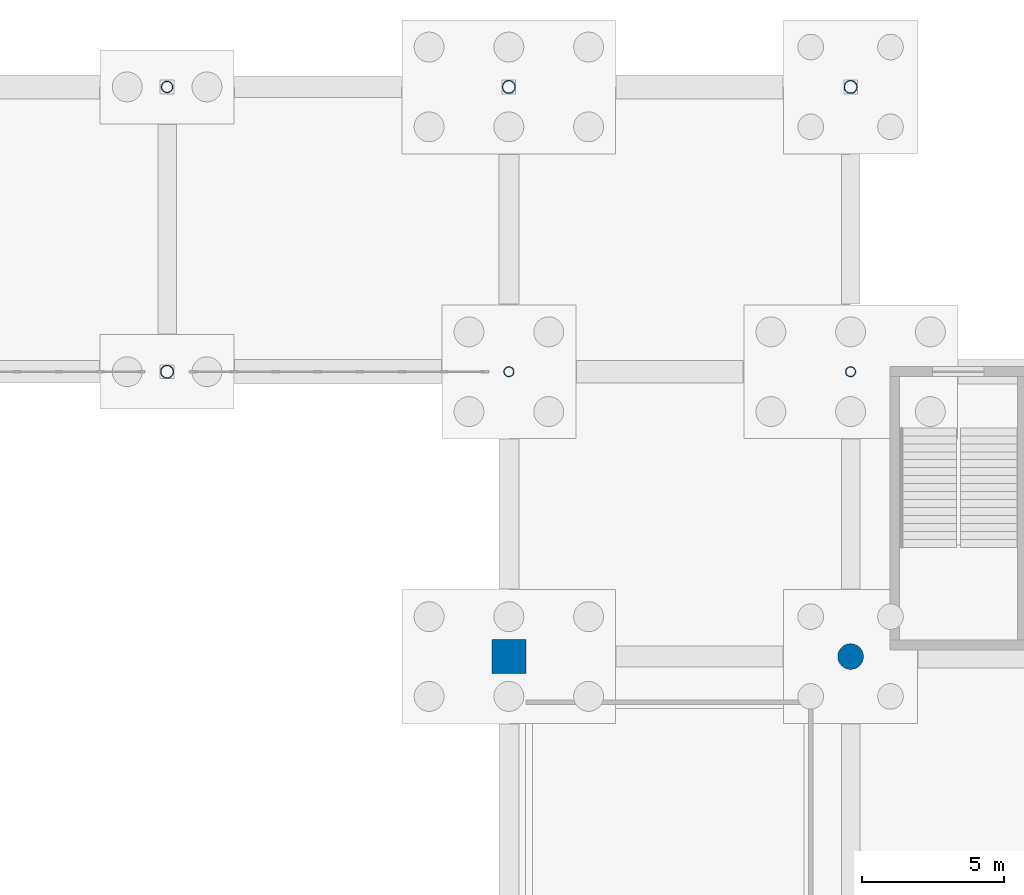
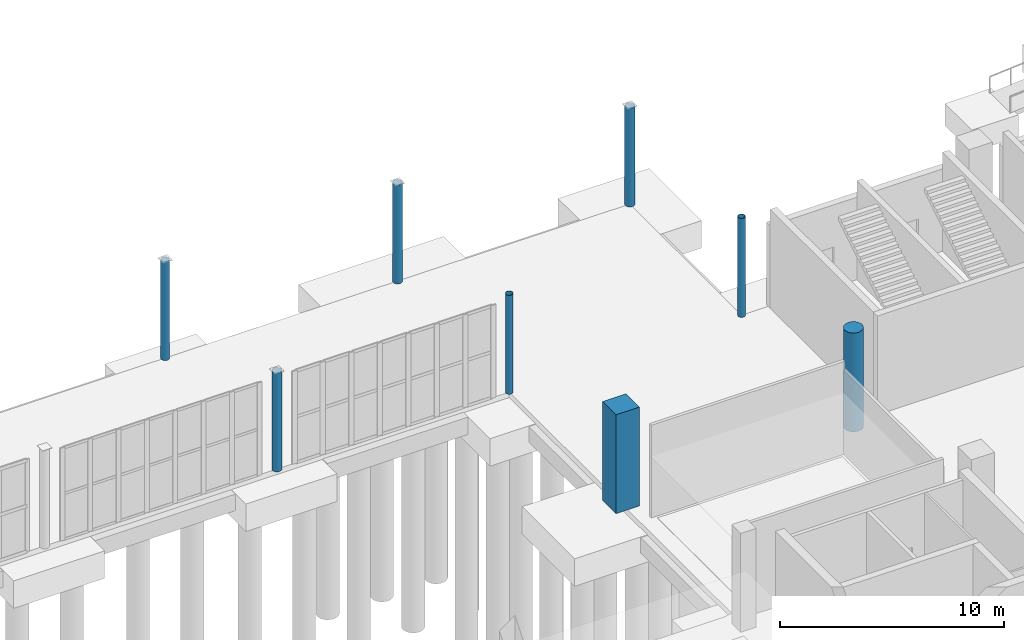
# One storey, part 19 of 70: 8 columns.
"""IFC4 building model written with IfcOpenShell, lengths in metres."""

from ifc_helpers import new_model, si_unit, direction, frame, origin, origin_2d, place, context, subcontext, project, spatial, rectangle, circle, hollow_circle, extrude, material, material_profile, profile_set, type_object, element, save


model = new_model("IFC4")

# Units and contexts
model_context = context("Model", 3, precision=1e-05, world=origin(), true_north=direction((0.0, 1.0)))
body_context = subcontext(model_context, "Body", "Model", "MODEL_VIEW")
ifc_project = project(units=[si_unit("LENGTHUNIT", "METRE"), si_unit("AREAUNIT", "SQUARE_METRE"), si_unit("VOLUMEUNIT", "CUBIC_METRE"), si_unit("PLANEANGLEUNIT", "RADIAN"), si_unit("MASSUNIT", "GRAM", prefix="KILO")], contexts=[model_context])

# Site, building, storey
site_placement = place(None, origin())
site = spatial("IfcSite", under=ifc_project, at=site_placement, CompositionType="ELEMENT")
building_placement = place(site_placement, origin())
building = spatial("IfcBuilding", under=site, at=building_placement, Name="Brinegate Civic Arena", CompositionType="ELEMENT")
storey_placement = place(building_placement, origin())
storey = spatial("IfcBuildingStorey", under=building, at=storey_placement, Name="L00", CompositionType="ELEMENT", Elevation=0.0)

# Columns
ifc_material_1 = material(Name="Concrete C50/60", Category="concrete")
ifc_material_profile_1 = material_profile(ifc_material_1, rectangle(XDim=1.199951171875, YDim=1.199951171875, at=origin_2d()), Name="RC1200X1200")
ifc_profile_set_1 = profile_set([ifc_material_profile_1], Name="Concrete C50/60")
column_type_1 = type_object("IfcColumnType", Name="COL-CC01-1200", PredefinedType="COLUMN", material=ifc_profile_set_1)
column_1_placement = place(storey_placement, frame((48.0, 104.0, 0.0), z_axis=(0.0, 0.0, 1.0), x_axis=(1.0, 0.0, 0.0)))
element("IfcColumn", 1, at=column_1_placement, inside=storey, type_object=column_type_1, Name="Column COL-L00-5-L", PredefinedType="COLUMN", context=body_context, shape_type="SweptSolid", body=[
    extrude(rectangle(XDim=1.199951171875, YDim=1.199951171875, at=origin_2d()), origin(), (0.0, 0.0, 1.0), 5.39990234375),
])
ifc_material_profile_2 = material_profile(ifc_material_1, circle(Radius=0.449951171875, at=origin_2d()), Name="RCD900")
ifc_profile_set_2 = profile_set([ifc_material_profile_2], Name="Concrete C50/60")
column_type_2 = type_object("IfcColumnType", Name="COL-CC12-D900", PredefinedType="COLUMN", material=ifc_profile_set_2)
column_2_placement = place(storey_placement, frame((60.0, 104.0, 0.0), z_axis=(0.0, 0.0, 1.0), x_axis=(1.0, 0.0, 0.0)))
element("IfcColumn", 2, at=column_2_placement, inside=storey, type_object=column_type_2, Name="Column COL-L00-6-L", PredefinedType="COLUMN", context=body_context, shape_type="SweptSolid", body=[
    extrude(circle(Radius=0.449951171875, at=origin_2d()), origin(), (0.0, 0.0, 1.0), 5.39990234375),
])
ifc_material_2 = material(Name="Steel S355", Category="steel")
ifc_material_profile_3 = material_profile(ifc_material_2, hollow_circle(Radius=0.228515625, WallThickness=0.01611328125, at=origin_2d()), Name="CHS457X16")
ifc_profile_set_3 = profile_set([ifc_material_profile_3], Name="Steel S355")
column_type_3 = type_object("IfcColumnType", Name="COL-CP01-CHS457", PredefinedType="PILASTER", material=ifc_profile_set_3)
for number, where, z_axis, x_axis, name in (
    (3, (36.0, 114.0, 0.0), (0.0, 0.0, 1.0), (1.0, 0.0, 0.0), "Column COL-L00-4-M"),
    (4, (48.0, 124.0, 0.0), (0.0, 0.0, 1.0), (1.0, 0.0, 0.0), "Column COL-L00-5-N"),
    (5, (60.0, 124.0, 0.0), (0.0, 0.0, 1.0), (1.0, 0.0, 0.0), "Column COL-L00-6-N"),
):
    element("IfcColumn", number, at=place(storey_placement, frame(where, z_axis=z_axis, x_axis=x_axis)), inside=storey, type_object=column_type_3, Name=name, PredefinedType="PILASTER", context=body_context, shape_type="SweptSolid", body=[
        extrude(hollow_circle(Radius=0.228515625, WallThickness=0.01611328125, at=origin_2d()), origin(), (0.0, 0.0, 1.0), 5.39990234375),
    ])
ifc_material_profile_4 = material_profile(ifc_material_2, hollow_circle(Radius=0.202880859375, WallThickness=0.01611328125, at=origin_2d()), Name="CHS406X16")
ifc_profile_set_4 = profile_set([ifc_material_profile_4], Name="Steel S355")
column_type_4 = type_object("IfcColumnType", Name="COL-CP02-CHS406", PredefinedType="PILASTER", material=ifc_profile_set_4)
column_3_placement = place(storey_placement, frame((36.0, 124.0, 0.0), z_axis=(0.0, 0.0, 1.0), x_axis=(1.0, 0.0, 0.0)))
element("IfcColumn", 6, at=column_3_placement, inside=storey, type_object=column_type_4, Name="Column COL-L00-4-N", PredefinedType="PILASTER", context=body_context, shape_type="SweptSolid", body=[
    extrude(hollow_circle(Radius=0.202880859375, WallThickness=0.01611328125, at=origin_2d()), origin(), (0.0, 0.0, 1.0), 5.39990234375),
])
ifc_material_profile_5 = material_profile(ifc_material_2, hollow_circle(Radius=0.177978515625, WallThickness=0.013916015625, at=origin_2d()), Name="CHS356X14")
ifc_profile_set_5 = profile_set([ifc_material_profile_5], Name="Steel S355")
column_type_5 = type_object("IfcColumnType", Name="COL-CP03-CHS356", PredefinedType="PILASTER", material=ifc_profile_set_5)
for number, where, z_axis, x_axis, name in (
    (7, (48.0, 114.0, 0.0), (0.0, 0.0, 1.0), (1.0, 0.0, 0.0), "Column COL-L00-5-M"),
    (8, (60.0, 114.0, 0.0), (0.0, 0.0, 1.0), (1.0, 0.0, 0.0), "Column COL-L00-6-M"),
):
    element("IfcColumn", number, at=place(storey_placement, frame(where, z_axis=z_axis, x_axis=x_axis)), inside=storey, type_object=column_type_5, Name=name, PredefinedType="PILASTER", context=body_context, shape_type="SweptSolid", body=[
        extrude(hollow_circle(Radius=0.177978515625, WallThickness=0.013916015625, at=origin_2d()), origin(), (0.0, 0.0, 1.0), 5.39990234375),
    ])

save(model, "model.ifc")
